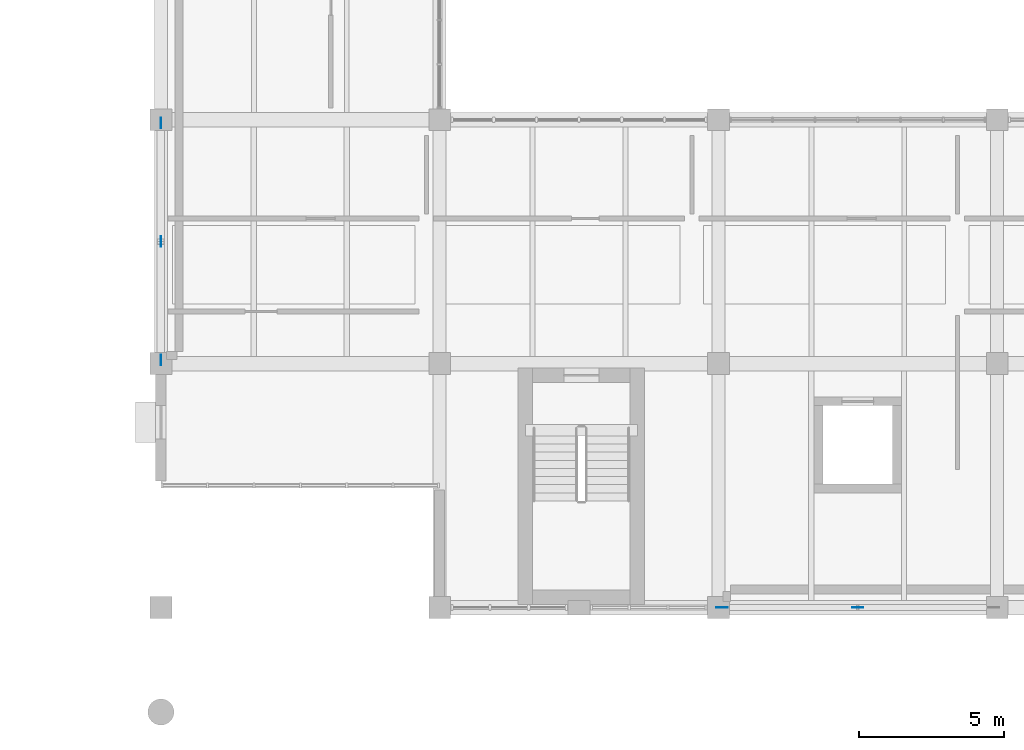
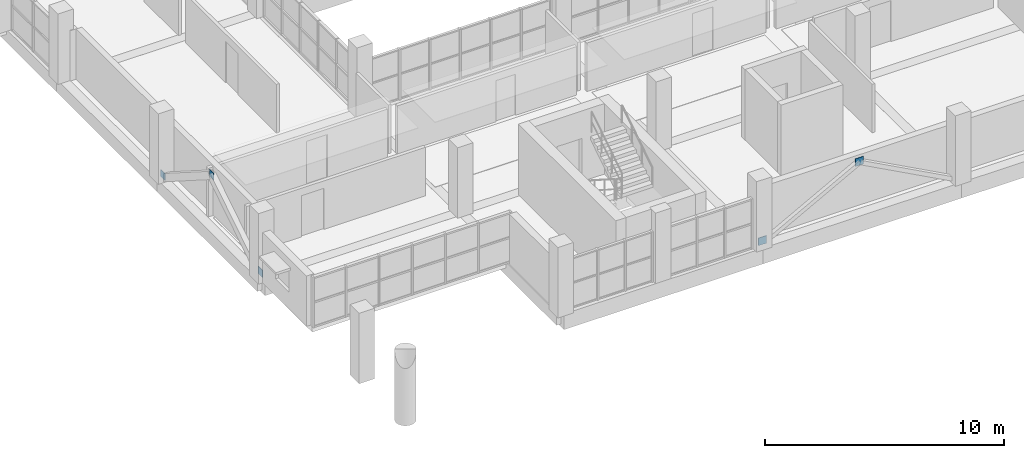
# One storey, part 113 of 147: 5 plates.
"""IFC4 building model written with IfcOpenShell, lengths in metres."""

from ifc_helpers import new_model, si_unit, direction, frame, origin, origin_2d, place, context, subcontext, project, spatial, rectangle, extrude, material, layer, layer_set, type_object, element, save


model = new_model("IFC4")

# Units and contexts
model_context = context("Model", 3, precision=1e-05, world=origin(), true_north=direction((0.0, 1.0)))
body_context = subcontext(model_context, "Body", "Model", "MODEL_VIEW")
ifc_project = project(units=[si_unit("LENGTHUNIT", "METRE"), si_unit("AREAUNIT", "SQUARE_METRE"), si_unit("VOLUMEUNIT", "CUBIC_METRE"), si_unit("PLANEANGLEUNIT", "RADIAN"), si_unit("MASSUNIT", "GRAM", prefix="KILO")], contexts=[model_context])

# Site, building, storey
site_placement = place(None, origin())
site = spatial("IfcSite", under=ifc_project, at=site_placement, CompositionType="ELEMENT")
building_placement = place(site_placement, origin())
building = spatial("IfcBuilding", under=site, at=building_placement, Name="Oolite Switchyard Hospital", CompositionType="ELEMENT")
storey_placement = place(building_placement, frame((0.0, 0.0, 9.89990234375)))
storey = spatial("IfcBuildingStorey", under=building, at=storey_placement, Name="L02", CompositionType="ELEMENT", Elevation=9.89990234375)

# Plates
ifc_material = material(Name="Steel ASTM A572 Grade 50", Category="steel")
ifc_layer_1 = layer(ifc_material, 0.02392578125)
ifc_layer_set_1 = layer_set([ifc_layer_1], Name="PLT-GUS-360")
plate_type_1 = type_object("IfcPlateType", Name="PLT-GUS-360", PredefinedType="SHEET", material=ifc_layer_set_1)
for number, where, z_axis, x_axis, name in (
    (1, (134.39990234375, 16.919921875, 0.02001953125), (0.0, 0.0, 1.0), (0.0, 1.0, 0.0), "L02 Brace Base Gusset Plate 142"),
    (2, (134.39990234375, 25.080078125, 0.02001953125), (0.0, 0.0, 1.0), (0.0, 1.0, 0.0), "L02 Brace Base Gusset Plate 143"),
    (3, (134.39990234375, 21.0, 2.5078125), (0.0, 0.0, 1.0), (0.0, 1.0, 0.0), "L02 Gusset Connection Plate 144"),
):
    element("IfcPlate", number, at=place(storey_placement, frame(where, z_axis=z_axis, x_axis=x_axis)), inside=storey, type_object=plate_type_1, Name=name, PredefinedType="SHEET", context=body_context, shape_type="SweptSolid", body=[
        extrude(rectangle(XDim=0.360107421875, YDim=0.02392578125, at=origin_2d()), origin(), (0.0, 0.0, 1.0), 0.360107421875),
    ])
ifc_layer_2 = layer(ifc_material, 0.02587890625)
ifc_layer_set_2 = layer_set([ifc_layer_2], Name="PLT-GUS-390")
plate_type_2 = type_object("IfcPlateType", Name="PLT-GUS-390", PredefinedType="SHEET", material=ifc_layer_set_2)
for number, where, z_axis, x_axis, name in (
    (4, (153.719970703125, 8.39990234375, 0.00537109375), (0.0, 0.0, 1.0), (1.0, 0.0, 0.0), "L02 Brace Base Gusset Plate 97"),
    (5, (158.39990234375, 8.39990234375, 2.41015625), (0.0, 0.0, 1.0), (1.0, 0.0, 0.0), "L02 Gusset Connection Plate 99"),
):
    element("IfcPlate", number, at=place(storey_placement, frame(where, z_axis=z_axis, x_axis=x_axis)), inside=storey, type_object=plate_type_2, Name=name, PredefinedType="SHEET", context=body_context, shape_type="SweptSolid", body=[
        extrude(rectangle(XDim=0.389892578125, YDim=0.02587890625, at=origin_2d()), origin(), (0.0, 0.0, 1.0), 0.389892578125),
    ])

save(model, "model.ifc")
